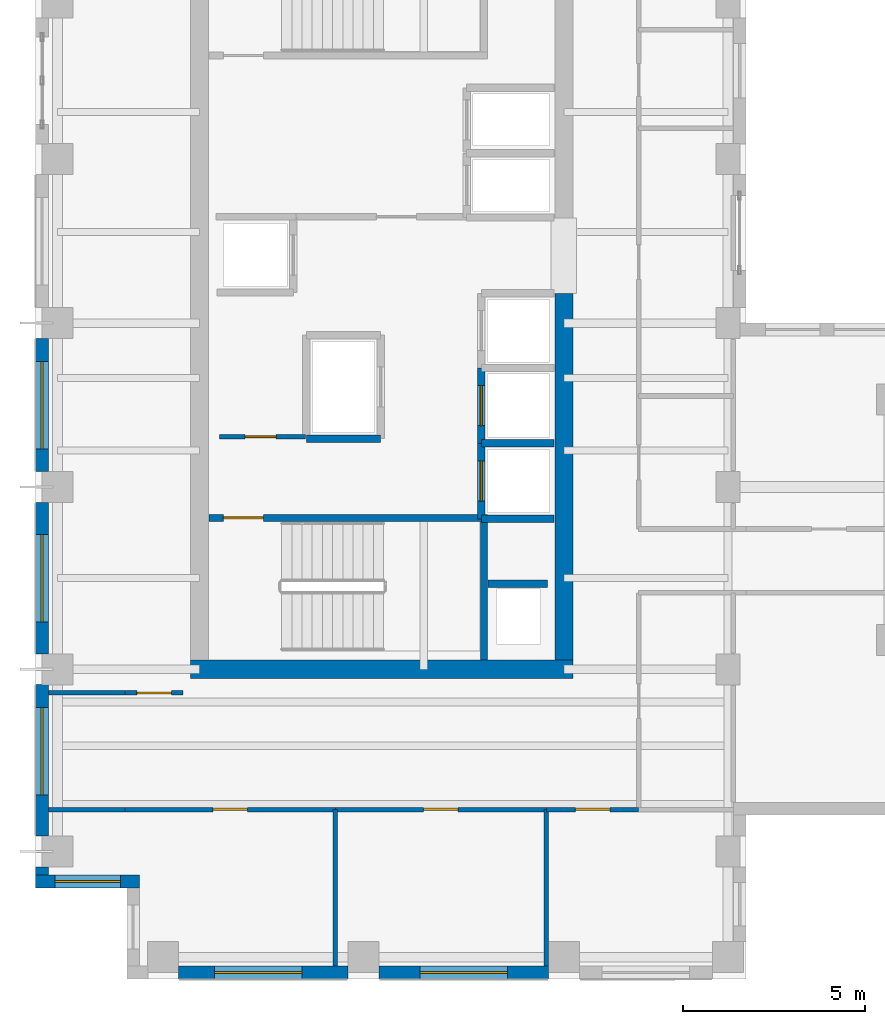
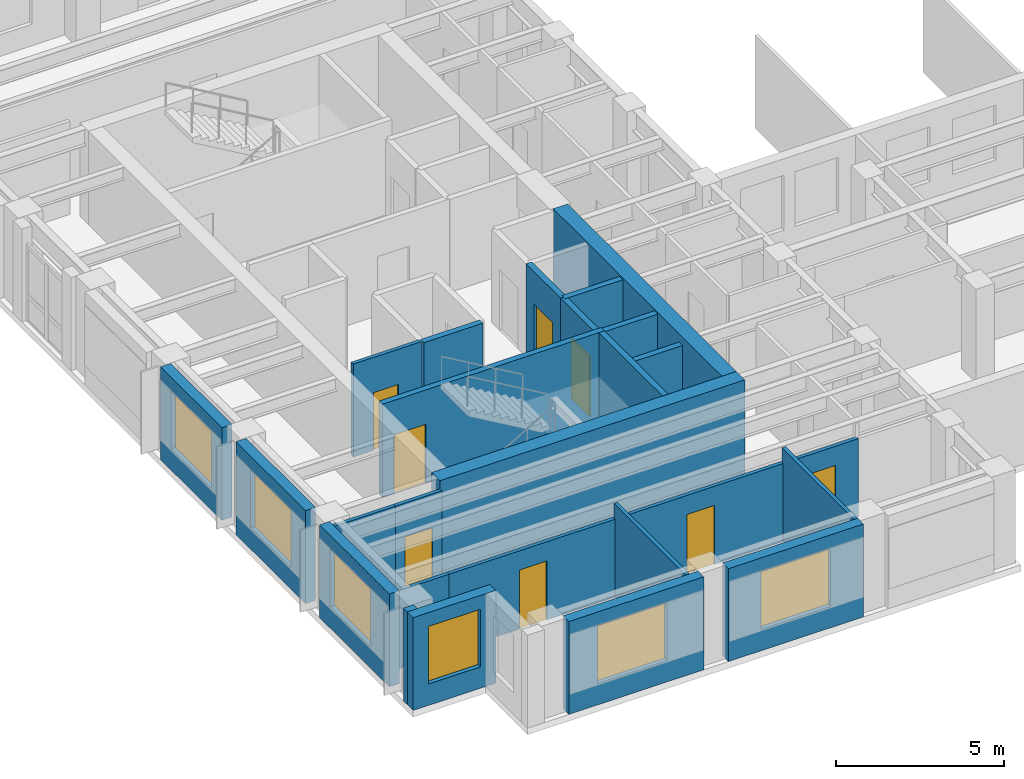
# One storey, part 6 of 14: 26 walls, 8 doors, 6 windows, 14 openings.
"""IFC4 building model written with IfcOpenShell, lengths in metres."""

from ifc_helpers import new_model, si_unit, direction, frame, frame_2d, origin, place, context, subcontext, project, spatial, rectangle, extrude, source, transform, mapped, material, layer, layer_set, type_object, element, fill, save


model = new_model("IFC4")

# Units and contexts
model_context = context("Model", 3, precision=1e-05, world=origin(), true_north=direction((0.0, 1.0)))
body_context = subcontext(model_context, "Body", "Model", "MODEL_VIEW")
ifc_project = project(units=[si_unit("LENGTHUNIT", "METRE"), si_unit("AREAUNIT", "SQUARE_METRE"), si_unit("VOLUMEUNIT", "CUBIC_METRE"), si_unit("PLANEANGLEUNIT", "RADIAN"), si_unit("MASSUNIT", "GRAM", prefix="KILO")], contexts=[model_context])

# Site, building, storey
site_placement = place(None, origin())
site = spatial("IfcSite", under=ifc_project, at=site_placement, CompositionType="ELEMENT")
building_placement = place(site_placement, origin())
building = spatial("IfcBuilding", under=site, at=building_placement, Name="Kharzan Plaza Tower", CompositionType="ELEMENT")
storey_placement = place(building_placement, frame((0.0, 0.0, 212.39990234375)))
storey = spatial("IfcBuildingStorey", under=building, at=storey_placement, Name="L57", CompositionType="ELEMENT", Elevation=212.39990234375)

# Wall, opening, window
ifc_material_1 = material(Name="Concrete C40/50", Category="concrete")
ifc_layer_1 = layer(ifc_material_1, 0.35009765625)
ifc_layer_set_1 = layer_set([ifc_layer_1], Name="Concrete C40/50")
wall_type_1 = type_object("IfcWallType", Name="WL-EXT-MAS-Z4", PredefinedType="SOLIDWALL", material=ifc_layer_set_1)
wall_1_placement = place(storey_placement, frame((0.175048828125, 17.576904296875, 0.0), z_axis=(0.0, 0.0, 1.0), x_axis=(0.0, -1.0, 0.0)))
wall_1 = element("IfcWall", 1, at=wall_1_placement, inside=storey, type_object=wall_type_1, Name="L57 Masonry-Frame Exterior Wall 15", PredefinedType="SOLIDWALL", context=body_context, shape_type="SweptSolid", body=[
    extrude(rectangle(XDim=3.65380859375, YDim=0.35009765625, at=frame_2d((1.826904296875, 0.0))), origin(), (0.0, 0.0, 1.0), 3.385009765625),
])
opening_1_placement = place(wall_1_placement, frame((0.626953125, 0.0, 0.780029296875)))
opening_1 = element("IfcOpeningElement", 2, at=opening_1_placement, cuts=wall_1, Name="Opening W2", PredefinedType="OPENING", context=body_context, shape_type="SweptSolid", body=[
    extrude(rectangle(XDim=2.39990234375, YDim=2.10009765625, at=frame_2d((1.199951171875, 1.050048828125))), frame((0.0, 0.18505859375, 0.0), z_axis=(0.0, -1.0, 0.0), x_axis=(1.0, 0.0, 0.0)), (0.0, 0.0, 1.0), 0.3701171875),
])
ifc_material_2 = material(Name="Low-E Double Glazing", Category="glass")
window_type_1 = type_object("IfcWindowType", Name="WN-REC-2400x2100", PartitioningType="SINGLE_PANEL", PredefinedType="WINDOW", material=ifc_material_2)
shared_shape_1 = source(origin(), body_context, "Body", "SweptSolid", [
    extrude(rectangle(XDim=2.39990234375, YDim=2.10009765625, at=frame_2d((1.199951171875, 1.050048828125))), frame((0.0, 0.030029296875, 0.0), z_axis=(0.0, -1.0, 0.0), x_axis=(1.0, 0.0, 0.0)), (0.0, 0.0, 1.0), 0.06005859375),
])
window_1_placement = place(opening_1_placement, origin())
window_1 = element("IfcWindow", 3, at=window_1_placement, inside=storey, type_object=window_type_1, Name="L57 Wide Recessed Solar-Control Window 15-1", OverallHeight=2.10009765625, OverallWidth=2.39990234375, PartitioningType="SINGLE_PANEL", PredefinedType="WINDOW", context=body_context, shape_type="MappedRepresentation", body=[
    mapped(shared_shape_1, transform((0.0, 0.0, 0.0), x_axis=(1.0, 0.0, 0.0), y_axis=(0.0, 1.0, 0.0), z_axis=(0.0, 0.0, 1.0))),
])
fill(opening_1, window_1)

wall_2_placement = place(storey_placement, frame((0.175048828125, 13.076904296875, 0.0), z_axis=(0.0, 0.0, 1.0), x_axis=(0.0, -1.0, 0.0)))
wall_2 = element("IfcWall", 4, at=wall_2_placement, inside=storey, type_object=wall_type_1, Name="L57 Masonry-Frame Exterior Wall 16", PredefinedType="SOLIDWALL", context=body_context, shape_type="SweptSolid", body=[
    extrude(rectangle(XDim=4.15380859375, YDim=0.35009765625, at=frame_2d((2.076904296875, 0.0))), origin(), (0.0, 0.0, 1.0), 3.385009765625),
])
opening_2_placement = place(wall_2_placement, frame((0.876953125, 0.0, 0.780029296875)))
opening_2 = element("IfcOpeningElement", 5, at=opening_2_placement, cuts=wall_2, Name="Opening W2", PredefinedType="OPENING", context=body_context, shape_type="SweptSolid", body=[
    extrude(rectangle(XDim=2.39990234375, YDim=2.10009765625, at=frame_2d((1.199951171875, 1.050048828125))), frame((0.0, 0.18505859375, 0.0), z_axis=(0.0, -1.0, 0.0), x_axis=(1.0, 0.0, 0.0)), (0.0, 0.0, 1.0), 0.3701171875),
])
window_2_placement = place(opening_2_placement, origin())
window_2 = element("IfcWindow", 6, at=window_2_placement, inside=storey, type_object=window_type_1, Name="L57 Wide Recessed Solar-Control Window 16-1", OverallHeight=2.10009765625, OverallWidth=2.39990234375, PartitioningType="SINGLE_PANEL", PredefinedType="WINDOW", context=body_context, shape_type="MappedRepresentation", body=[
    mapped(shared_shape_1, transform((0.0, 0.0, 0.0), x_axis=(1.0, 0.0, 0.0), y_axis=(0.0, 1.0, 0.0), z_axis=(0.0, 0.0, 1.0))),
])
fill(opening_2, window_2)

wall_3_placement = place(storey_placement, frame((0.175048828125, 8.076904296875, 0.0), z_axis=(0.0, 0.0, 1.0), x_axis=(0.0, -1.0, 0.0)))
wall_3 = element("IfcWall", 7, at=wall_3_placement, inside=storey, type_object=wall_type_1, Name="L57 Masonry-Frame Exterior Wall 17", PredefinedType="SOLIDWALL", context=body_context, shape_type="SweptSolid", body=[
    extrude(rectangle(XDim=4.15380859375, YDim=0.35009765625, at=frame_2d((2.076904296875, 0.0))), origin(), (0.0, 0.0, 1.0), 3.385009765625),
])
opening_3_placement = place(wall_3_placement, frame((0.626953125, 0.0, 0.780029296875)))
opening_3 = element("IfcOpeningElement", 8, at=opening_3_placement, cuts=wall_3, Name="Opening W2", PredefinedType="OPENING", context=body_context, shape_type="SweptSolid", body=[
    extrude(rectangle(XDim=2.39990234375, YDim=2.10009765625, at=frame_2d((1.199951171875, 1.050048828125))), frame((0.0, 0.18505859375, 0.0), z_axis=(0.0, -1.0, 0.0), x_axis=(1.0, 0.0, 0.0)), (0.0, 0.0, 1.0), 0.3701171875),
])
window_3_placement = place(opening_3_placement, origin())
window_3 = element("IfcWindow", 9, at=window_3_placement, inside=storey, type_object=window_type_1, Name="L57 Wide Recessed Solar-Control Window 17-1", OverallHeight=2.10009765625, OverallWidth=2.39990234375, PartitioningType="SINGLE_PANEL", PredefinedType="WINDOW", context=body_context, shape_type="MappedRepresentation", body=[
    mapped(shared_shape_1, transform((0.0, 0.0, 0.0), x_axis=(1.0, 0.0, 0.0), y_axis=(0.0, 1.0, 0.0), z_axis=(0.0, 0.0, 1.0))),
])
fill(opening_3, window_3)

wall_4_placement = place(storey_placement, frame((0.0, 2.675048828125, 0.0), z_axis=(0.0, 0.0, 1.0), x_axis=(1.0, 0.0, 0.0)))
wall_4 = element("IfcWall", 10, at=wall_4_placement, inside=storey, type_object=wall_type_1, Name="L57 Masonry-Frame Exterior Wall 19", PredefinedType="SOLIDWALL", context=body_context, shape_type="SweptSolid", body=[
    extrude(rectangle(XDim=2.85009765625, YDim=0.35009765625, at=frame_2d((1.425048828125, 0.0))), origin(), (0.0, 0.0, 1.0), 3.385009765625),
])
opening_4_placement = place(wall_4_placement, frame((0.52490234375, 0.0, 0.780029296875)))
opening_4 = element("IfcOpeningElement", 11, at=opening_4_placement, cuts=wall_4, Name="Opening W1", PredefinedType="OPENING", context=body_context, shape_type="SweptSolid", body=[
    extrude(rectangle(XDim=1.800048828125, YDim=2.10009765625, at=frame_2d((0.89990234375, 1.050048828125))), frame((0.0, 0.18505859375, 0.0), z_axis=(0.0, -1.0, 0.0), x_axis=(1.0, 0.0, 0.0)), (0.0, 0.0, 1.0), 0.3701171875),
])
window_type_2 = type_object("IfcWindowType", Name="WN-REC-1800x2100", PartitioningType="SINGLE_PANEL", PredefinedType="WINDOW", material=ifc_material_2)
shared_shape_2 = source(origin(), body_context, "Body", "SweptSolid", [
    extrude(rectangle(XDim=1.800048828125, YDim=2.10009765625, at=frame_2d((0.89990234375, 1.050048828125))), frame((0.0, 0.030029296875, 0.0), z_axis=(0.0, -1.0, 0.0), x_axis=(1.0, 0.0, 0.0)), (0.0, 0.0, 1.0), 0.06005859375),
])
window_4_placement = place(opening_4_placement, origin())
window_4 = element("IfcWindow", 12, at=window_4_placement, inside=storey, type_object=window_type_2, Name="L57 Recessed Solar-Control Window 19-1", OverallHeight=2.10009765625, OverallWidth=1.800048828125, PartitioningType="SINGLE_PANEL", PredefinedType="WINDOW", context=body_context, shape_type="MappedRepresentation", body=[
    mapped(shared_shape_2, transform((0.0, 0.0, 0.0), x_axis=(1.0, 0.0, 0.0), y_axis=(0.0, 1.0, 0.0), z_axis=(0.0, 0.0, 1.0))),
])
fill(opening_4, window_4)

wall_5_placement = place(storey_placement, frame((3.923095703125, 0.175048828125, 0.0), z_axis=(0.0, 0.0, 1.0), x_axis=(1.0, 0.0, 0.0)))
wall_5 = element("IfcWall", 13, at=wall_5_placement, inside=storey, type_object=wall_type_1, Name="L57 Masonry-Frame Exterior Wall 22", PredefinedType="SOLIDWALL", context=body_context, shape_type="SweptSolid", body=[
    extrude(rectangle(XDim=4.65380859375, YDim=0.35009765625, at=frame_2d((2.326904296875, 0.0))), origin(), (0.0, 0.0, 1.0), 3.385009765625),
])
opening_5_placement = place(wall_5_placement, frame((0.987060546875, 0.0, 0.780029296875)))
opening_5 = element("IfcOpeningElement", 14, at=opening_5_placement, cuts=wall_5, Name="Opening W2", PredefinedType="OPENING", context=body_context, shape_type="SweptSolid", body=[
    extrude(rectangle(XDim=2.39990234375, YDim=2.10009765625, at=frame_2d((1.199951171875, 1.050048828125))), frame((0.0, 0.18505859375, 0.0), z_axis=(0.0, -1.0, 0.0), x_axis=(1.0, 0.0, 0.0)), (0.0, 0.0, 1.0), 0.3701171875),
])
window_5_placement = place(opening_5_placement, origin())
window_5 = element("IfcWindow", 15, at=window_5_placement, inside=storey, type_object=window_type_1, Name="L57 Wide Recessed Solar-Control Window 22-1", OverallHeight=2.10009765625, OverallWidth=2.39990234375, PartitioningType="SINGLE_PANEL", PredefinedType="WINDOW", context=body_context, shape_type="MappedRepresentation", body=[
    mapped(shared_shape_1, transform((0.0, 0.0, 0.0), x_axis=(1.0, 0.0, 0.0), y_axis=(0.0, 1.0, 0.0), z_axis=(0.0, 0.0, 1.0))),
])
fill(opening_5, window_5)

wall_6_placement = place(storey_placement, frame((9.423095703125, 0.175048828125, 0.0), z_axis=(0.0, 0.0, 1.0), x_axis=(1.0, 0.0, 0.0)))
wall_6 = element("IfcWall", 16, at=wall_6_placement, inside=storey, type_object=wall_type_1, Name="L57 Masonry-Frame Exterior Wall 23", PredefinedType="SOLIDWALL", context=body_context, shape_type="SweptSolid", body=[
    extrude(rectangle(XDim=4.65380859375, YDim=0.35009765625, at=frame_2d((2.326904296875, 0.0))), origin(), (0.0, 0.0, 1.0), 3.385009765625),
])
opening_6_placement = place(wall_6_placement, frame((1.126953125, 0.0, 0.780029296875)))
opening_6 = element("IfcOpeningElement", 17, at=opening_6_placement, cuts=wall_6, Name="Opening W2", PredefinedType="OPENING", context=body_context, shape_type="SweptSolid", body=[
    extrude(rectangle(XDim=2.39990234375, YDim=2.10009765625, at=frame_2d((1.199951171875, 1.050048828125))), frame((0.0, 0.18505859375, 0.0), z_axis=(0.0, -1.0, 0.0), x_axis=(1.0, 0.0, 0.0)), (0.0, 0.0, 1.0), 0.3701171875),
])
window_6_placement = place(opening_6_placement, origin())
window_6 = element("IfcWindow", 18, at=window_6_placement, inside=storey, type_object=window_type_1, Name="L57 Wide Recessed Solar-Control Window 23-1", OverallHeight=2.10009765625, OverallWidth=2.39990234375, PartitioningType="SINGLE_PANEL", PredefinedType="WINDOW", context=body_context, shape_type="MappedRepresentation", body=[
    mapped(shared_shape_1, transform((0.0, 0.0, 0.0), x_axis=(1.0, 0.0, 0.0), y_axis=(0.0, 1.0, 0.0), z_axis=(0.0, 0.0, 1.0))),
])
fill(opening_6, window_6)

# Wall, opening, door
ifc_material_3 = material(Name="Fire-Rated Gypsum Board Partition", Category="gypsum")
ifc_layer_2 = layer(ifc_material_3, 0.125)
ifc_layer_set_2 = layer_set([ifc_layer_2], Name="Fire-Rated Gypsum Board Partition")
wall_type_2 = type_object("IfcWallType", Name="WL-INT-PART-125", PredefinedType="PARTITIONING", material=ifc_layer_set_2)
wall_7_placement = place(storey_placement, frame((5.050048828125, 14.8798828125, 0.0), z_axis=(0.0, 0.0, 1.0), x_axis=(1.0, 0.0, 0.0)))
wall_7 = element("IfcWall", 19, at=wall_7_placement, inside=storey, type_object=wall_type_2, Name="L57 Interior Partition CA-K0", PredefinedType="PARTITIONING", context=body_context, shape_type="SweptSolid", body=[
    extrude(rectangle(XDim=2.349853515625, YDim=0.125, at=frame_2d((1.1748046875, 0.0))), origin(), (0.0, 0.0, 1.0), 3.385009765625),
])
opening_7_placement = place(wall_7_placement, frame((0.699951171875, 0.0, 0.0)))
opening_7 = element("IfcOpeningElement", 20, at=opening_7_placement, cuts=wall_7, Name="Opening RD1", PredefinedType="OPENING", context=body_context, shape_type="SweptSolid", body=[
    extrude(rectangle(XDim=0.85009765625, YDim=2.10009765625, at=frame_2d((0.425048828125, 1.050048828125))), frame((0.0, 0.072509765625, 0.0), z_axis=(0.0, -1.0, 0.0), x_axis=(1.0, 0.0, 0.0)), (0.0, 0.0, 1.0), 0.14501953125),
])
ifc_material_4 = material(Name="Powder-Coated Fire-Rated Steel", Category="steel")
door_type_1 = type_object("IfcDoorType", Name="DR-RISER-900", OperationType="NOTDEFINED", PredefinedType="DOOR", material=ifc_material_4)
shared_shape_3 = source(origin(), body_context, "Body", "SweptSolid", [
    extrude(rectangle(XDim=0.85009765625, YDim=2.10009765625, at=frame_2d((0.425048828125, 1.050048828125))), frame((0.0, 0.02490234375, 0.0), z_axis=(0.0, -1.0, 0.0), x_axis=(1.0, 0.0, 0.0)), (0.0, 0.0, 1.0), 0.050048828125),
])
door_1_placement = place(opening_7_placement, origin())
door_1 = element("IfcDoor", 21, at=door_1_placement, inside=storey, type_object=door_type_1, Name="L57 Cleaners Store Door", OperationType="SINGLE_SWING_RIGHT", OverallHeight=2.10009765625, OverallWidth=0.85009765625, PredefinedType="DOOR", context=body_context, shape_type="MappedRepresentation", body=[
    mapped(shared_shape_3, transform((0.0, 0.0, 0.0), x_axis=(1.0, 0.0, 0.0), y_axis=(0.0, 1.0, 0.0), z_axis=(0.0, 0.0, 1.0))),
])
fill(opening_7, door_1)

wall_8_placement = place(storey_placement, frame((2.449951171875, 7.85009765625, 0.0), z_axis=(0.0, 0.0, 1.0), x_axis=(1.0, 0.0, 0.0)))
wall_8 = element("IfcWall", 22, at=wall_8_placement, inside=storey, type_object=wall_type_2, Name="L57 Interior Partition SH-RWSD", PredefinedType="PARTITIONING", context=body_context, shape_type="SweptSolid", body=[
    extrude(rectangle(XDim=1.60009765625, YDim=0.125, at=frame_2d((0.800048828125, 0.0))), origin(), (0.0, 0.0, 1.0), 3.385009765625),
])
opening_8_placement = place(wall_8_placement, frame((0.324951171875, 0.0, 0.0)))
opening_8 = element("IfcOpeningElement", 23, at=opening_8_placement, cuts=wall_8, Name="Opening OD1", PredefinedType="OPENING", context=body_context, shape_type="SweptSolid", body=[
    extrude(rectangle(XDim=0.949951171875, YDim=2.14990234375, at=frame_2d((0.47509765625, 1.074951171875))), frame((0.0, 0.072509765625, 0.0), z_axis=(0.0, -1.0, 0.0), x_axis=(1.0, 0.0, 0.0)), (0.0, 0.0, 1.0), 0.14501953125),
])
ifc_material_5 = material(Name="Acoustic Solid-Core Stained Oak", Category="timber")
door_type_2 = type_object("IfcDoorType", Name="DR-OFF-SINGLE", OperationType="NOTDEFINED", PredefinedType="DOOR", material=ifc_material_5)
shared_shape_4 = source(origin(), body_context, "Body", "SweptSolid", [
    extrude(rectangle(XDim=0.949951171875, YDim=2.14990234375, at=frame_2d((0.47509765625, 1.074951171875))), frame((0.0, 0.02490234375, 0.0), z_axis=(0.0, -1.0, 0.0), x_axis=(1.0, 0.0, 0.0)), (0.0, 0.0, 1.0), 0.050048828125),
])
door_2_placement = place(opening_8_placement, origin())
door_2 = element("IfcDoor", 24, at=door_2_placement, inside=storey, type_object=door_type_2, Name="L57 West Studio South Door", OperationType="SINGLE_SWING_LEFT", OverallHeight=2.14990234375, OverallWidth=0.949951171875, PredefinedType="DOOR", context=body_context, shape_type="MappedRepresentation", body=[
    mapped(shared_shape_4, transform((0.0, 0.0, 0.0), x_axis=(1.0, 0.0, 0.0), y_axis=(0.0, 1.0, 0.0), z_axis=(0.0, 0.0, 1.0))),
])
fill(opening_8, door_2)

wall_9_placement = place(storey_placement, frame((2.449951171875, 4.64990234375, 0.0), z_axis=(0.0, 0.0, 1.0), x_axis=(1.0, 0.0, 0.0)))
wall_9 = element("IfcWall", 25, at=wall_9_placement, inside=storey, type_object=wall_type_2, Name="L57 Interior Partition SH-SS-1", PredefinedType="PARTITIONING", context=body_context, shape_type="SweptSolid", body=[
    extrude(rectangle(XDim=5.777099609375, YDim=0.125, at=frame_2d((2.888671875, 0.0))), origin(), (0.0, 0.0, 1.0), 2.84814453125),
])
opening_9_placement = place(wall_9_placement, frame((2.41357421875, 0.0, 0.0)))
opening_9 = element("IfcOpeningElement", 26, at=opening_9_placement, cuts=wall_9, Name="Opening OD1", PredefinedType="OPENING", context=body_context, shape_type="SweptSolid", body=[
    extrude(rectangle(XDim=0.949951171875, YDim=2.14990234375, at=frame_2d((0.47509765625, 1.074951171875))), frame((0.0, 0.072509765625, 0.0), z_axis=(0.0, -1.0, 0.0), x_axis=(1.0, 0.0, 0.0)), (0.0, 0.0, 1.0), 0.14501953125),
])
door_3_placement = place(opening_9_placement, origin())
door_3 = element("IfcDoor", 27, at=door_3_placement, inside=storey, type_object=door_type_2, Name="L57 Software Engineering Office Door", OperationType="SINGLE_SWING_RIGHT", OverallHeight=2.14990234375, OverallWidth=0.949951171875, PredefinedType="DOOR", context=body_context, shape_type="MappedRepresentation", body=[
    mapped(shared_shape_4, transform((0.0, 0.0, 0.0), x_axis=(1.0, 0.0, 0.0), y_axis=(0.0, 1.0, 0.0), z_axis=(0.0, 0.0, 1.0))),
])
fill(opening_9, door_3)

wall_10_placement = place(storey_placement, frame((8.22705078125, 4.64990234375, 0.0), z_axis=(0.0, 0.0, 1.0), x_axis=(1.0, 0.0, 0.0)))
wall_10 = element("IfcWall", 28, at=wall_10_placement, inside=storey, type_object=wall_type_2, Name="L57 Interior Partition SH-SS-2", PredefinedType="PARTITIONING", context=body_context, shape_type="SweptSolid", body=[
    extrude(rectangle(XDim=5.7919921875, YDim=0.125, at=frame_2d((2.89599609375, 0.0))), origin(), (0.0, 0.0, 1.0), 2.84814453125),
])
opening_10_placement = place(wall_10_placement, frame((2.4208984375, 0.0, 0.0)))
opening_10 = element("IfcOpeningElement", 29, at=opening_10_placement, cuts=wall_10, Name="Opening OD1", PredefinedType="OPENING", context=body_context, shape_type="SweptSolid", body=[
    extrude(rectangle(XDim=0.949951171875, YDim=2.14990234375, at=frame_2d((0.47509765625, 1.074951171875))), frame((0.0, 0.072509765625, 0.0), z_axis=(0.0, -1.0, 0.0), x_axis=(1.0, 0.0, 0.0)), (0.0, 0.0, 1.0), 0.14501953125),
])
door_4_placement = place(opening_10_placement, origin())
door_4 = element("IfcDoor", 30, at=door_4_placement, inside=storey, type_object=door_type_2, Name="L57 Cloud Architecture Office Door", OperationType="SINGLE_SWING_LEFT", OverallHeight=2.14990234375, OverallWidth=0.949951171875, PredefinedType="DOOR", context=body_context, shape_type="MappedRepresentation", body=[
    mapped(shared_shape_4, transform((0.0, 0.0, 0.0), x_axis=(1.0, 0.0, 0.0), y_axis=(0.0, 1.0, 0.0), z_axis=(0.0, 0.0, 1.0))),
])
fill(opening_10, door_4)

wall_11_placement = place(storey_placement, frame((14.01904296875, 4.64990234375, 0.0), z_axis=(0.0, 0.0, 1.0), x_axis=(1.0, 0.0, 0.0)))
wall_11 = element("IfcWall", 31, at=wall_11_placement, inside=storey, type_object=wall_type_2, Name="L57 Interior Partition SH-SS-3", PredefinedType="PARTITIONING", context=body_context, shape_type="SweptSolid", body=[
    extrude(rectangle(XDim=2.531005859375, YDim=0.125, at=frame_2d((1.265625, 0.0))), origin(), (0.0, 0.0, 1.0), 2.84814453125),
])
opening_11_placement = place(wall_11_placement, frame((0.79052734375, 0.0, 0.0)))
opening_11 = element("IfcOpeningElement", 32, at=opening_11_placement, cuts=wall_11, Name="Opening OD1", PredefinedType="OPENING", context=body_context, shape_type="SweptSolid", body=[
    extrude(rectangle(XDim=0.949951171875, YDim=2.14990234375, at=frame_2d((0.47509765625, 1.074951171875))), frame((0.0, 0.072509765625, 0.0), z_axis=(0.0, -1.0, 0.0), x_axis=(1.0, 0.0, 0.0)), (0.0, 0.0, 1.0), 0.14501953125),
])
door_5_placement = place(opening_11_placement, origin())
door_5 = element("IfcDoor", 33, at=door_5_placement, inside=storey, type_object=door_type_2, Name="L57 Sprint Review Meeting Room Door", OperationType="SINGLE_SWING_RIGHT", OverallHeight=2.14990234375, OverallWidth=0.949951171875, PredefinedType="DOOR", context=body_context, shape_type="MappedRepresentation", body=[
    mapped(shared_shape_4, transform((0.0, 0.0, 0.0), x_axis=(1.0, 0.0, 0.0), y_axis=(0.0, 1.0, 0.0), z_axis=(0.0, 0.0, 1.0))),
])
fill(opening_11, door_5)

ifc_layer_3 = layer(ifc_material_1, 0.199951171875)
ifc_layer_set_3 = layer_set([ifc_layer_3], Name="Concrete C40/50")
wall_type_3 = type_object("IfcWallType", Name="WL-INT-SHAFT-200", PredefinedType="PARTITIONING", material=ifc_layer_set_3)
wall_12_placement = place(storey_placement, frame((12.22998046875, 12.6298828125, 0.0), z_axis=(0.0, 0.0, 1.0), x_axis=(0.0, 1.0, 0.0)))
wall_12 = element("IfcWall", 34, at=wall_12_placement, inside=storey, type_object=wall_type_3, Name="L57 Interior Partition SHF-PL-H1-W", PredefinedType="PARTITIONING", context=body_context, shape_type="SweptSolid", body=[
    extrude(rectangle(XDim=2.070068359375, YDim=0.199951171875, at=frame_2d((1.03515625, 0.0))), origin(), (0.0, 0.0, 1.0), 3.385009765625),
])
opening_12_placement = place(wall_12_placement, frame((0.485107421875, 0.0, 0.0)))
opening_12 = element("IfcOpeningElement", 35, at=opening_12_placement, cuts=wall_12, Name="Opening LD", PredefinedType="OPENING", context=body_context, shape_type="SweptSolid", body=[
    extrude(rectangle(XDim=1.10009765625, YDim=2.199951171875, at=frame_2d((0.550048828125, 1.10009765625))), frame((0.0, 0.10986328125, 0.0), z_axis=(0.0, -1.0, 0.0), x_axis=(1.0, 0.0, 0.0)), (0.0, 0.0, 1.0), 0.219970703125),
])
ifc_material_6 = material(Name="Brushed Stainless Steel", Category="steel")
door_type_3 = type_object("IfcDoorType", Name="DR-LIFT-SLIDE", OperationType="SLIDING_TO_LEFT", PredefinedType="DOOR", material=ifc_material_6)
shared_shape_5 = source(origin(), body_context, "Body", "SweptSolid", [
    extrude(rectangle(XDim=1.10009765625, YDim=2.199951171875, at=frame_2d((0.550048828125, 1.10009765625))), frame((0.0, 0.02490234375, 0.0), z_axis=(0.0, -1.0, 0.0), x_axis=(1.0, 0.0, 0.0)), (0.0, 0.0, 1.0), 0.050048828125),
])
door_6_placement = place(opening_12_placement, origin())
door_6 = element("IfcDoor", 36, at=door_6_placement, inside=storey, type_object=door_type_3, Name="L57 High-Rise Passenger Lift PL-H1 Sliding Landing Door", OperationType="SLIDING_TO_LEFT", OverallHeight=2.199951171875, OverallWidth=1.10009765625, PredefinedType="DOOR", context=body_context, shape_type="MappedRepresentation", body=[
    mapped(shared_shape_5, transform((0.0, 0.0, 0.0), x_axis=(1.0, 0.0, 0.0), y_axis=(0.0, 1.0, 0.0), z_axis=(0.0, 0.0, 1.0))),
])
fill(opening_12, door_6)

wall_13_placement = place(storey_placement, frame((12.22998046875, 14.699951171875, 0.0), z_axis=(0.0, 0.0, 1.0), x_axis=(0.0, 1.0, 0.0)))
wall_13 = element("IfcWall", 37, at=wall_13_placement, inside=storey, type_object=wall_type_3, Name="L57 Interior Partition SHF-PL-H2-W", PredefinedType="PARTITIONING", context=body_context, shape_type="SweptSolid", body=[
    extrude(rectangle(XDim=2.070068359375, YDim=0.199951171875, at=frame_2d((1.03515625, 0.0))), origin(), (0.0, 0.0, 1.0), 3.385009765625),
])
opening_13_placement = place(wall_13_placement, frame((0.485107421875, 0.0, 0.0)))
opening_13 = element("IfcOpeningElement", 38, at=opening_13_placement, cuts=wall_13, Name="Opening LD", PredefinedType="OPENING", context=body_context, shape_type="SweptSolid", body=[
    extrude(rectangle(XDim=1.10009765625, YDim=2.199951171875, at=frame_2d((0.550048828125, 1.10009765625))), frame((0.0, 0.10986328125, 0.0), z_axis=(0.0, -1.0, 0.0), x_axis=(1.0, 0.0, 0.0)), (0.0, 0.0, 1.0), 0.219970703125),
])
door_7_placement = place(opening_13_placement, origin())
door_7 = element("IfcDoor", 39, at=door_7_placement, inside=storey, type_object=door_type_3, Name="L57 High-Rise Passenger Lift PL-H2 Sliding Landing Door", OperationType="SLIDING_TO_LEFT", OverallHeight=2.199951171875, OverallWidth=1.10009765625, PredefinedType="DOOR", context=body_context, shape_type="MappedRepresentation", body=[
    mapped(shared_shape_5, transform((0.0, 0.0, 0.0), x_axis=(1.0, 0.0, 0.0), y_axis=(0.0, 1.0, 0.0), z_axis=(0.0, 0.0, 1.0))),
])
fill(opening_13, door_7)

ifc_material_7 = material(Name="Concrete C50/60", Category="concrete")
ifc_layer_4 = layer(ifc_material_7, 0.199951171875)
ifc_layer_set_4 = layer_set([ifc_layer_4], Name="Concrete C50/60")
wall_type_4 = type_object("IfcWallType", Name="WL-SHAFT-RC200", PredefinedType="SHEAR", material=ifc_layer_set_4)
wall_14_placement = place(storey_placement, frame((4.751953125, 12.655029296875, 0.0), z_axis=(0.0, 0.0, 1.0), x_axis=(1.0, 0.0, 0.0)))
wall_14 = element("IfcWall", 40, at=wall_14_placement, inside=storey, type_object=wall_type_4, Name="L57 Stair ST-1 North RC Shaft Wall", PredefinedType="SHEAR", context=body_context, shape_type="SweptSolid", body=[
    extrude(rectangle(XDim=7.653076171875, YDim=0.199951171875, at=frame_2d((3.82666015625, 0.0))), origin(), (0.0, 0.0, 1.0), 3.400146484375),
])
opening_14_placement = place(wall_14_placement, frame((0.39990234375, 0.0, 0.0)))
opening_14 = element("IfcOpeningElement", 41, at=opening_14_placement, cuts=wall_14, Name="Opening SD1", PredefinedType="OPENING", context=body_context, shape_type="SweptSolid", body=[
    extrude(rectangle(XDim=1.10009765625, YDim=2.14990234375, at=frame_2d((0.550048828125, 1.074951171875))), frame((0.0, 0.10986328125, 0.0), z_axis=(0.0, -1.0, 0.0), x_axis=(1.0, 0.0, 0.0)), (0.0, 0.0, 1.0), 0.219970703125),
])
ifc_material_8 = material(Name="Fire-Rated Hollow Galvanized Steel", Category="steel")
door_type_4 = type_object("IfcDoorType", Name="DR-STAIR-FD120", OperationType="NOTDEFINED", PredefinedType="DOOR", material=ifc_material_8)
shared_shape_6 = source(origin(), body_context, "Body", "SweptSolid", [
    extrude(rectangle(XDim=1.10009765625, YDim=2.14990234375, at=frame_2d((0.550048828125, 1.074951171875))), frame((0.0, 0.02490234375, 0.0), z_axis=(0.0, -1.0, 0.0), x_axis=(1.0, 0.0, 0.0)), (0.0, 0.0, 1.0), 0.050048828125),
])
door_8_placement = place(opening_14_placement, origin())
door_8 = element("IfcDoor", 42, at=door_8_placement, inside=storey, type_object=door_type_4, Name="L57 Stair ST-1 Fire Exit Door", OperationType="SINGLE_SWING_LEFT", OverallHeight=2.14990234375, OverallWidth=1.10009765625, PredefinedType="DOOR", context=body_context, shape_type="MappedRepresentation", body=[
    mapped(shared_shape_6, transform((0.0, 0.0, 0.0), x_axis=(1.0, 0.0, 0.0), y_axis=(0.0, 1.0, 0.0), z_axis=(0.0, 0.0, 1.0))),
])
fill(opening_14, door_8)

# Walls
shared_shape_7 = source(origin(), body_context, "Body", "SweptSolid", [
    extrude(rectangle(XDim=2.097900390625, YDim=0.125, at=frame_2d((1.048828125, 0.0))), origin(), (0.0, 0.0, 1.0), 3.385009765625),
])
wall_15_placement = place(storey_placement, frame((0.35205078125, 7.85009765625, 0.0), z_axis=(0.0, 0.0, 1.0), x_axis=(1.0, 0.0, 0.0)))
element("IfcWall", 43, at=wall_15_placement, inside=storey, type_object=wall_type_2, Name="L57 Interior Partition SH-RWS0", PredefinedType="PARTITIONING", context=body_context, shape_type="MappedRepresentation", body=[
    mapped(shared_shape_7, transform((0.0, 0.0, 0.0), x_axis=(1.0, 0.0, 0.0), y_axis=(0.0, 1.0, 0.0), z_axis=(0.0, 0.0, 1.0))),
])
shared_shape_8 = source(origin(), body_context, "Body", "SweptSolid", [
    extrude(rectangle(XDim=4.2978515625, YDim=0.125, at=frame_2d((2.14892578125, 0.0))), origin(), (0.0, 0.0, 1.0), 3.385009765625),
])
for number, where, z_axis, x_axis, name in (
    (44, (8.22705078125, 0.35205078125, 0.0), (0.0, 0.0, 1.0), (0.0, 1.0, 0.0), "L57 Interior Partition SH-SV-1"),
    (45, (14.01904296875, 0.35205078125, 0.0), (0.0, 0.0, 1.0), (0.0, 1.0, 0.0), "L57 Interior Partition SH-SV-2"),
):
    element("IfcWall", number, at=place(storey_placement, frame(where, z_axis=z_axis, x_axis=x_axis)), inside=storey, type_object=wall_type_2, Name=name, PredefinedType="PARTITIONING", context=body_context, shape_type="MappedRepresentation", body=[
        mapped(shared_shape_8, transform((0.0, 0.0, 0.0), x_axis=(1.0, 0.0, 0.0), y_axis=(0.0, 1.0, 0.0), z_axis=(0.0, 0.0, 1.0))),
    ])
shared_shape_9 = source(origin(), body_context, "Body", "SweptSolid", [
    extrude(rectangle(XDim=1.630126953125, YDim=0.199951171875, at=frame_2d((0.81494140625, 0.0))), origin(), (0.0, 0.0, 1.0), 3.385009765625),
])
wall_16_placement = place(storey_placement, frame((12.419921875, 10.85009765625, 0.0), z_axis=(0.0, 0.0, 1.0), x_axis=(1.0, 0.0, 0.0)))
element("IfcWall", 46, at=wall_16_placement, inside=storey, type_object=wall_type_3, Name="L57 Interior Partition CA-RSRA-N", PredefinedType="PARTITIONING", context=body_context, shape_type="MappedRepresentation", body=[
    mapped(shared_shape_9, transform((0.0, 0.0, 0.0), x_axis=(1.0, 0.0, 0.0), y_axis=(0.0, 1.0, 0.0), z_axis=(0.0, 0.0, 1.0))),
])
shared_shape_10 = source(origin(), body_context, "Body", "SweptSolid", [
    extrude(rectangle(XDim=2.0400390625, YDim=0.199951171875, at=frame_2d((1.02001953125, 0.0))), origin(), (0.0, 0.0, 1.0), 3.385009765625),
])
wall_17_placement = place(storey_placement, frame((7.429931640625, 14.830078125, 0.0), z_axis=(0.0, 0.0, 1.0), x_axis=(1.0, 0.0, 0.0)))
element("IfcWall", 47, at=wall_17_placement, inside=storey, type_object=wall_type_3, Name="L57 Interior Partition SHF-SVL-1-S", PredefinedType="PARTITIONING", context=body_context, shape_type="MappedRepresentation", body=[
    mapped(shared_shape_10, transform((0.0, 0.0, 0.0), x_axis=(1.0, 0.0, 0.0), y_axis=(0.0, 1.0, 0.0), z_axis=(0.0, 0.0, 1.0))),
])
shared_shape_11 = source(origin(), body_context, "Body", "SweptSolid", [
    extrude(rectangle(XDim=2.097900390625, YDim=0.125, at=frame_2d((1.048828125, 0.0))), origin(), (0.0, 0.0, 1.0), 2.84814453125),
])
wall_18_placement = place(storey_placement, frame((0.35205078125, 4.64990234375, 0.0), z_axis=(0.0, 0.0, 1.0), x_axis=(1.0, 0.0, 0.0)))
element("IfcWall", 48, at=wall_18_placement, inside=storey, type_object=wall_type_2, Name="L57 Interior Partition SH-SS-EXT", PredefinedType="PARTITIONING", context=body_context, shape_type="MappedRepresentation", body=[
    mapped(shared_shape_11, transform((0.0, 0.0, 0.0), x_axis=(1.0, 0.0, 0.0), y_axis=(0.0, 1.0, 0.0), z_axis=(0.0, 0.0, 1.0))),
])
ifc_layer_5 = layer(ifc_material_7, 0.5)
ifc_layer_set_5 = layer_set([ifc_layer_5], Name="Concrete C50/60")
wall_type_5 = type_object("IfcWallType", Name="WL-CORE-500", PredefinedType="SHEAR", material=ifc_layer_set_5)
shared_shape_12 = source(origin(), body_context, "Body", "SweptSolid", [
    extrude(rectangle(XDim=10.070068359375, YDim=0.5, at=frame_2d((5.03515625, 0.0))), origin(), (0.0, 0.0, 1.0), 3.400146484375),
])
wall_19_placement = place(storey_placement, frame((14.5, 8.75, 0.0), z_axis=(0.0, 0.0, 1.0), x_axis=(0.0, 1.0, 0.0)))
element("IfcWall", 49, at=wall_19_placement, inside=storey, type_object=wall_type_5, Name="L57 CORE-A east shear pier 1", PredefinedType="SHEAR", context=body_context, shape_type="MappedRepresentation", body=[
    mapped(shared_shape_12, transform((0.0, 0.0, 0.0), x_axis=(1.0, 0.0, 0.0), y_axis=(0.0, 1.0, 0.0), z_axis=(0.0, 0.0, 1.0))),
])
shared_shape_13 = source(origin(), body_context, "Body", "SweptSolid", [
    extrude(rectangle(XDim=10.5, YDim=0.5, at=frame_2d((5.25, 0.0))), origin(), (0.0, 0.0, 1.0), 3.400146484375),
])
wall_20_placement = place(storey_placement, frame((4.25, 8.5, 0.0), z_axis=(0.0, 0.0, 1.0), x_axis=(1.0, 0.0, 0.0)))
element("IfcWall", 50, at=wall_20_placement, inside=storey, type_object=wall_type_5, Name="L57 CORE-A south RC shear wall", PredefinedType="SHEAR", context=body_context, shape_type="MappedRepresentation", body=[
    mapped(shared_shape_13, transform((0.0, 0.0, 0.0), x_axis=(1.0, 0.0, 0.0), y_axis=(0.0, 1.0, 0.0), z_axis=(0.0, 0.0, 1.0))),
])
shared_shape_14 = source(origin(), body_context, "Body", "SweptSolid", [
    extrude(rectangle(XDim=0.22900390625, YDim=0.35009765625, at=frame_2d((0.114501953125, 0.0))), origin(), (0.0, 0.0, 1.0), 3.385009765625),
])
wall_21_placement = place(storey_placement, frame((0.175048828125, 3.076904296875, 0.0), z_axis=(0.0, 0.0, 1.0), x_axis=(0.0, -1.0, 0.0)))
element("IfcWall", 51, at=wall_21_placement, inside=storey, type_object=wall_type_1, Name="L57 Masonry-Frame Exterior Wall 18", PredefinedType="SOLIDWALL", context=body_context, shape_type="MappedRepresentation", body=[
    mapped(shared_shape_14, transform((0.0, 0.0, 0.0), x_axis=(1.0, 0.0, 0.0), y_axis=(0.0, 1.0, 0.0), z_axis=(0.0, 0.0, 1.0))),
])
shared_shape_15 = source(origin(), body_context, "Body", "SweptSolid", [
    extrude(rectangle(XDim=1.989990234375, YDim=0.199951171875, at=frame_2d((0.9951171875, 0.0))), origin(), (0.0, 0.0, 1.0), 3.385009765625),
])
for number, where, z_axis, x_axis, name in (
    (52, (12.22998046875, 14.699951171875, 0.0), (0.0, 0.0, 1.0), (1.0, 0.0, 0.0), "L57 Interior Partition SHF-PL-H1-N"),
    (53, (12.22998046875, 12.6298828125, 0.0), (0.0, 0.0, 1.0), (1.0, 0.0, 0.0), "L57 Interior Partition SHF-PL-H1-S"),
):
    element("IfcWall", number, at=place(storey_placement, frame(where, z_axis=z_axis, x_axis=x_axis)), inside=storey, type_object=wall_type_3, Name=name, PredefinedType="PARTITIONING", context=body_context, shape_type="MappedRepresentation", body=[
        mapped(shared_shape_15, transform((0.0, 0.0, 0.0), x_axis=(1.0, 0.0, 0.0), y_axis=(0.0, 1.0, 0.0), z_axis=(0.0, 0.0, 1.0))),
    ])
shared_shape_16 = source(origin(), body_context, "Body", "SweptSolid", [
    extrude(rectangle(XDim=3.802978515625, YDim=0.199951171875, at=frame_2d((1.9013671875, 0.0))), origin(), (0.0, 0.0, 1.0), 3.400146484375),
])
wall_22_placement = place(storey_placement, frame((12.304931640625, 8.751953125, 0.0), z_axis=(0.0, 0.0, 1.0), x_axis=(0.0, 1.0, 0.0)))
element("IfcWall", 54, at=wall_22_placement, inside=storey, type_object=wall_type_4, Name="L57 Stair ST-1 East RC Shaft Wall", PredefinedType="SHEAR", context=body_context, shape_type="MappedRepresentation", body=[
    mapped(shared_shape_16, transform((0.0, 0.0, 0.0), x_axis=(1.0, 0.0, 0.0), y_axis=(0.0, 1.0, 0.0), z_axis=(0.0, 0.0, 1.0))),
])

save(model, "model.ifc")
